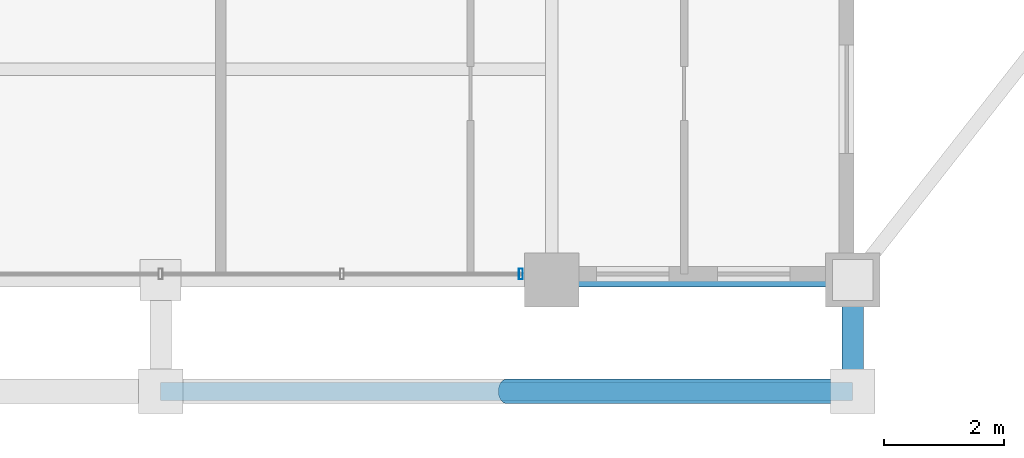
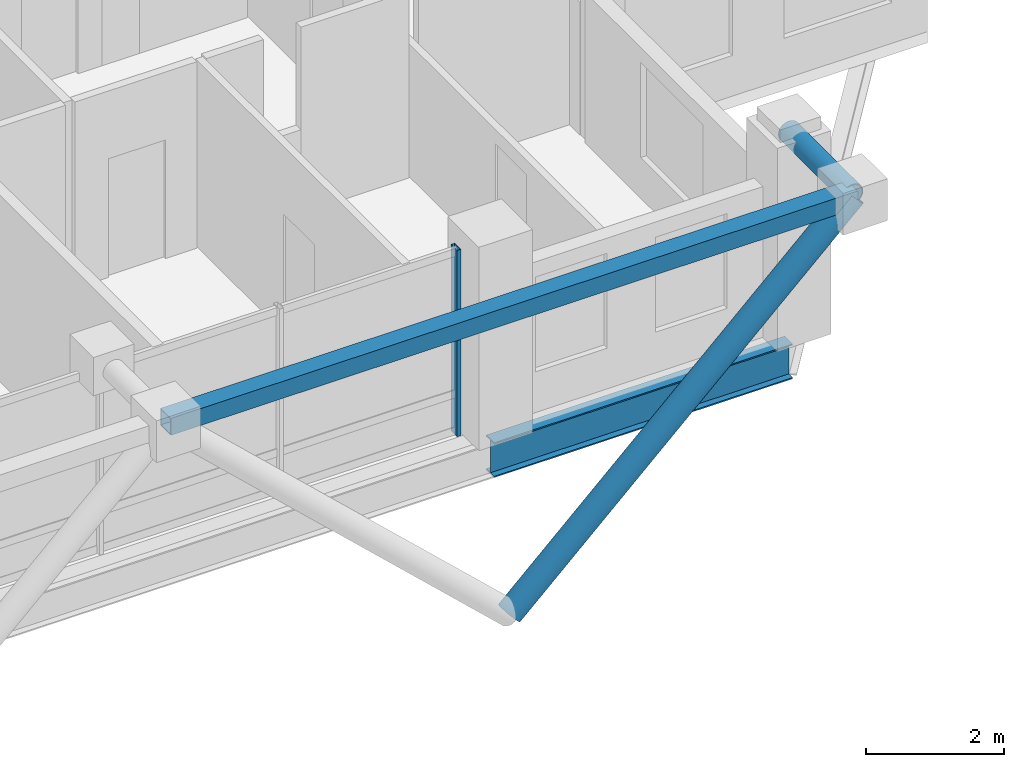
# One storey, part 6 of 25: 4 members, 1 beam, 1 element without a shape of its own.
"""IFC4 building model written with IfcOpenShell, lengths in metres."""

import ifcopenshell
import ifcopenshell.guid

model = None  # the IFC model being written
_history = None  # IfcOwnerHistory: only IFC2X3 demands one
_inside = {}  # id of a spatial element -> (the spatial element, [elements in it])
_under = {}  # id of a project, library or spatial element -> (it, [spatial elements below it])
_declared = {}  # id of a project -> (the project, [libraries it declares])
_typed = {}  # id of a type object -> (the type object, [elements of that type])
_made_of = {}  # id of a material, layer set ... -> (it, [elements and type objects made of it])


def new_model(schema):
    """Start an empty IFC model of exactly this schema.

    Asked for "IFC4X3", IfcOpenShell would pick the latest addendum, in which some entities
    have other attributes; the version numbers below select the first issue.
    IFC2X3 requires an IfcOwnerHistory on every rooted entity: one is made here for all.
    """
    global model, _history
    if schema == "IFC4X3":
        model = ifcopenshell.file(schema_version=(4, 3, 0, 0))
    else:
        model = ifcopenshell.file(schema=schema)
    _inside.clear()
    _under.clear()
    _declared.clear()
    _typed.clear()
    _made_of.clear()
    _history = None
    if model.schema == "IFC2X3":
        org = make("IfcOrganization", Name="unknown")
        user = make(
            "IfcPersonAndOrganization",
            ThePerson=make("IfcPerson", FamilyName="unknown"),
            TheOrganization=org,
        )
        app = make(
            "IfcApplication",
            ApplicationDeveloper=org,
            Version="unknown",
            ApplicationFullName="unknown",
            ApplicationIdentifier="unknown",
        )
        _history = make(
            "IfcOwnerHistory",
            OwningUser=user,
            OwningApplication=app,
            ChangeAction="ADDED",
            CreationDate=0,
        )
    return model


def make(cls, **values):
    """One entity of the class cls with the attributes given. An attribute that is None is left unset."""
    return model.create_entity(
        cls, **{name: value for name, value in values.items() if value is not None}
    )


def rooted(cls, **values):
    """An entity with a GlobalId (a new one), such as an element, a storey or a relation."""
    return make(cls, GlobalId=ifcopenshell.guid.new(), OwnerHistory=_history, **values)


def si_unit(unit_type, name, prefix=None):
    """IfcSIUnit, for example si_unit("LENGTHUNIT", "METRE", prefix="MILLI")."""
    return make("IfcSIUnit", UnitType=unit_type, Prefix=prefix, Name=name)


def assignment(units):
    """IfcUnitAssignment: the units of a project."""
    return None if units is None else make("IfcUnitAssignment", Units=units)


def point(xyz):
    """IfcCartesianPoint."""
    return None if xyz is None else make("IfcCartesianPoint", Coordinates=xyz)


def direction(xyz):
    """IfcDirection."""
    return None if xyz is None else make("IfcDirection", DirectionRatios=xyz)


def frame(location, z_axis=None, x_axis=None):
    """IfcAxis2Placement3D, a coordinate frame: its origin and axes. An axis left out is left unset."""
    return make(
        "IfcAxis2Placement3D",
        Location=point(location),
        Axis=direction(z_axis),
        RefDirection=direction(x_axis),
    )


def frame_2d(location, x_axis=None):
    """IfcAxis2Placement2D, a coordinate frame in the plane: its origin and x axis."""
    return make(
        "IfcAxis2Placement2D", Location=point(location), RefDirection=direction(x_axis)
    )


def origin():
    """The frame at (0, 0, 0) with its axes left unset."""
    return frame((0.0, 0.0, 0.0))


def origin_2d():
    """The frame at (0, 0) in the plane with its x axis left unset."""
    return frame_2d((0.0, 0.0))


def place(relative_to, where):
    """IfcLocalPlacement: puts the frame where relative to a parent placement (None: the world)."""
    return make(
        "IfcLocalPlacement", PlacementRelTo=relative_to, RelativePlacement=where
    )


def context(
    kind, dimensions, precision=None, world=None, true_north=None, identifier=None
):
    """IfcGeometricRepresentationContext, for example the 3D "Model" context."""
    return make(
        "IfcGeometricRepresentationContext",
        ContextIdentifier=identifier,
        ContextType=kind,
        CoordinateSpaceDimension=dimensions,
        Precision=precision,
        WorldCoordinateSystem=world,
        TrueNorth=true_north,
    )


def subcontext(parent, identifier, kind, view, scale=None):
    """IfcGeometricRepresentationSubContext, for example "Body" below "Model"."""
    return make(
        "IfcGeometricRepresentationSubContext",
        ContextIdentifier=identifier,
        ContextType=kind,
        ParentContext=parent,
        TargetScale=scale,
        TargetView=view,
    )


def project(units=None, contexts=None):
    """IfcProject with its units and contexts."""
    return rooted(
        "IfcProject",
        Name="project",
        RepresentationContexts=contexts,
        UnitsInContext=assignment(units),
    )


def spatial(cls, under=None, at=None, **own):
    """A site, building, storey or space (cls), placed at a placement, below another one or the project."""
    s = rooted(cls, ObjectPlacement=at, **own)
    if under is not None:
        _under.setdefault(under.id(), (under, []))[1].append(s)
    return s


def profile(cls, at=None, kind="AREA", **sizes):
    """A parametric profile (cls). Its sizes go by their IFC names, for example OverallWidth=200.0."""
    return make(cls, ProfileType=kind, Position=at, **sizes)


def hollow_rectangle(**sizes):
    """IfcRectangleHollowProfileDef."""
    return profile("IfcRectangleHollowProfileDef", **sizes)


def hollow_circle(**sizes):
    """IfcCircleHollowProfileDef."""
    return profile("IfcCircleHollowProfileDef", **sizes)


def i_section(**sizes):
    """IfcIShapeProfileDef."""
    return profile("IfcIShapeProfileDef", **sizes)


def extrude(swept, where, along, depth):
    """IfcExtrudedAreaSolid: the profile swept, set in the frame where, extruded along a direction by depth."""
    return make(
        "IfcExtrudedAreaSolid",
        SweptArea=swept,
        Position=where,
        ExtrudedDirection=direction(along),
        Depth=depth,
    )


def shape(context_of_items, identifier, shape_type, items):
    """IfcShapeRepresentation: the items that make up one representation, for example the "Body"."""
    return make(
        "IfcShapeRepresentation",
        ContextOfItems=context_of_items,
        RepresentationIdentifier=identifier,
        RepresentationType=shape_type,
        Items=items,
    )


def material(Name=None, Category=None):
    """IfcMaterial."""
    return make("IfcMaterial", Name=Name, Category=Category)


def layer(
    of_material, thickness, ventilated=None, Name=None, Category=None, Priority=None
):
    """IfcMaterialLayer: one layer of a wall or slab, of a material (None: an air gap)."""
    return make(
        "IfcMaterialLayer",
        Material=of_material,
        LayerThickness=thickness,
        IsVentilated=ventilated,
        Name=Name,
        Category=Category,
        Priority=Priority,
    )


def layer_set(layers, Name=None):
    """IfcMaterialLayerSet."""
    return make("IfcMaterialLayerSet", MaterialLayers=layers, LayerSetName=Name)


def material_profile(
    of_material, cross_section, Name=None, Category=None, Priority=None
):
    """IfcMaterialProfile: a cross section and its material."""
    return make(
        "IfcMaterialProfile",
        Name=Name,
        Material=of_material,
        Profile=cross_section,
        Priority=Priority,
        Category=Category,
    )


def profile_set(profiles, Name=None, composite=None):
    """IfcMaterialProfileSet."""
    return make(
        "IfcMaterialProfileSet",
        Name=Name,
        MaterialProfiles=profiles,
        CompositeProfile=composite,
    )


def made_of(thing, what):
    """Note that an element or type object is made of a material, layer set ...; save() writes the relation."""
    if what is not None:
        _made_of.setdefault(what.id(), (what, []))[1].append(thing)
    return thing


def type_object(cls, material=None, **own):
    """A type object (cls), such as IfcWallType, which elements share."""
    return made_of(rooted(cls, **own), material)


def element(
    cls,
    number,
    at=None,
    inside=None,
    cuts=None,
    type_object=None,
    material=None,
    context=None,
    identifier="Body",
    shape_type=None,
    held_by="IfcProductDefinitionShape",
    body=None,
    shapes=None,
    **own,
):
    """One element of the class cls, such as IfcWall. Its Tag is "e" and its number.

    at: its placement. inside: the storey or other place that contains it. cuts: it is an
    opening in that element (IfcRelVoidsElement). A single representation is given by context,
    identifier, shape_type and body (its items); several are given by shapes. held_by: the class
    of the entity that holds the representations. save() writes the other relations.
    """
    e = rooted(cls, Tag="e%d" % number, ObjectPlacement=at, **own)
    if body is not None:
        shapes = [shape(context, identifier, shape_type, body)]
    if shapes is not None:
        e.Representation = make(held_by, Representations=shapes)
    if inside is not None:
        _inside.setdefault(inside.id(), (inside, []))[1].append(e)
    if cuts is not None:
        rooted(
            "IfcRelVoidsElement", RelatingBuildingElement=cuts, RelatedOpeningElement=e
        )
    if type_object is not None:
        _typed.setdefault(type_object.id(), (type_object, []))[1].append(e)
    return made_of(e, material)


def aggregate(whole, parts):
    """IfcRelAggregates: a whole, such as a stair, and the parts it consists of."""
    return rooted("IfcRelAggregates", RelatingObject=whole, RelatedObjects=parts)


def save(model, path):
    """Write the relations noted so far, then the file.

    IfcRelAggregates (storeys below a building ...), IfcRelContainedInSpatialStructure (elements
    in a storey), IfcRelDefinesByType, IfcRelAssociatesMaterial and IfcRelDeclares: one each for
    every whole, place, type object, material and project.
    """
    for whole, parts in _under.values():
        aggregate(whole, parts)
    for where, things in _inside.values():
        rooted(
            "IfcRelContainedInSpatialStructure",
            RelatedElements=things,
            RelatingStructure=where,
        )
    for kind, things in _typed.values():
        rooted("IfcRelDefinesByType", RelatedObjects=things, RelatingType=kind)
    for what, things in _made_of.values():
        rooted("IfcRelAssociatesMaterial", RelatedObjects=things, RelatingMaterial=what)
    for by, libraries in _declared.values():
        rooted("IfcRelDeclares", RelatingContext=by, RelatedDefinitions=libraries)
    model.write(path)


model = new_model("IFC4")

# Units and contexts
model_context = context("Model", 3, precision=1e-05, world=origin(), true_north=direction((0.0, 1.0)))
body_context = subcontext(model_context, "Body", "Model", "MODEL_VIEW")
ifc_project = project(units=[si_unit("LENGTHUNIT", "METRE"), si_unit("AREAUNIT", "SQUARE_METRE"), si_unit("VOLUMEUNIT", "CUBIC_METRE"), si_unit("PLANEANGLEUNIT", "RADIAN"), si_unit("MASSUNIT", "GRAM", prefix="KILO")], contexts=[model_context])

# Site, building, storey
site_placement = place(None, origin())
site = spatial("IfcSite", under=ifc_project, at=site_placement, CompositionType="ELEMENT")
building_placement = place(site_placement, origin())
building = spatial("IfcBuilding", under=site, at=building_placement, Name="Barlavira Tower and Art Museum", CompositionType="ELEMENT")
storey_placement = place(building_placement, frame((0.0, 0.0, 301.5)))
storey = spatial("IfcBuildingStorey", under=building, at=storey_placement, Name="L79", CompositionType="ELEMENT", Elevation=301.5)

# Curtain wall, member
ifc_material_1 = material(Name="Low-iron coastal laminated glass", Category="glass")
ifc_layer = layer(ifc_material_1, 0.2099609375, Name="Low-iron coastal laminated glass")
ifc_layer_set = layer_set([ifc_layer], Name="Low-iron coastal laminated glass")
curtain_wall_type = type_object("IfcCurtainWallType", Name="Pale-Metal Unitised Curtain Wall Zone 4", PredefinedType="NOTDEFINED", material=ifc_layer_set)
curtain_wall_placement = place(storey_placement, origin())
curtain_wall = element("IfcCurtainWall", 1, at=curtain_wall_placement, inside=storey, type_object=curtain_wall_type, Name="L79 Curtain Wall CW4-L79-S-B2", PredefinedType="NOTDEFINED")
ifc_material_2 = material(Name="Pale anodised aluminium", Category="aluminium")
ifc_material_profile_1 = material_profile(ifc_material_2, hollow_rectangle(XDim=0.06494140625, YDim=0.179931640625, WallThickness=0.00390625, at=origin_2d()), Name="ALU-MULL 65x180x4")
ifc_profile_set_1 = profile_set([ifc_material_profile_1], Name="Pale anodised aluminium")
member_type_1 = type_object("IfcMemberType", Name="Curtain Wall Pale-Metal Mullion 65x180", PredefinedType="MULLION", material=ifc_profile_set_1)
member_1_placement = place(storey_placement, frame((5.985107421875, -19.89990234375, 0.0), z_axis=(0.0, 0.0, 1.0), x_axis=(1.0, 0.0, 0.0)))
member_1 = element("IfcMember", 2, at=member_1_placement, type_object=member_type_1, Name="CW4-L79-S-B2 Mullion 4", PredefinedType="MULLION", context=body_context, shape_type="SweptSolid", body=[
    extrude(hollow_rectangle(XDim=0.06494140625, YDim=0.179931640625, WallThickness=0.00390625, at=origin_2d()), origin(), (0.0, 0.0, 1.0), 3.300048828125),
])
aggregate(curtain_wall, [member_1])

# Members
ifc_material_3 = material(Name="Steel S355", Category="steel")
ifc_material_profile_2 = material_profile(ifc_material_3, hollow_circle(Radius=0.203125, WallThickness=0.01611328125, at=origin_2d()), Name="CHS 406.4x16.0")
ifc_profile_set_2 = profile_set([ifc_material_profile_2], Name="Steel S355")
member_type_2 = type_object("IfcMemberType", Name="Pale-Metal Exoskeleton Diagrid Tube CHS 406x16 Steel S355", PredefinedType="BRACE", material=ifc_profile_set_2)
member_2_placement = place(storey_placement, frame((5.75, -21.85009765625, -1.919921875), z_axis=(0.728950095515, 0.0, 0.684566839869), x_axis=(0.0, 1.0, 0.0)))
element("IfcMember", 3, at=member_2_placement, inside=storey, type_object=member_type_2, Name="L79 Exoskeleton Diagrid Tube S", PredefinedType="BRACE", context=body_context, shape_type="SweptSolid", body=[
    extrude(hollow_circle(Radius=0.203125, WallThickness=0.01611328125, at=origin_2d()), origin(), (0.0, 0.0, 1.0), 7.887939453125),
])
ifc_material_profile_3 = material_profile(ifc_material_3, hollow_circle(Radius=0.177734375, WallThickness=0.01611328125, at=origin_2d()), Name="CHS 355.6x16.0")
ifc_profile_set_3 = profile_set([ifc_material_profile_3], Name="Steel S355")
member_type_3 = type_object("IfcMemberType", Name="Pale-Metal Exoskeleton Tie Strut CHS 356x16 Steel S355", PredefinedType="STRUT", material=ifc_profile_set_3)
member_3_placement = place(storey_placement, frame((11.5, -21.85009765625, 3.47998046875), z_axis=(0.0, 1.0, 0.0), x_axis=(-1.0, 0.0, 0.0)))
element("IfcMember", 4, at=member_3_placement, inside=storey, type_object=member_type_3, Name="L79 Exoskeleton Top Tie Strut S3", PredefinedType="STRUT", context=body_context, shape_type="SweptSolid", body=[
    extrude(hollow_circle(Radius=0.177734375, WallThickness=0.01611328125, at=origin_2d()), origin(), (0.0, 0.0, 1.0), 1.85009765625),
])
ifc_material_profile_4 = material_profile(ifc_material_3, hollow_rectangle(XDim=0.300048828125, YDim=0.300048828125, WallThickness=0.01611328125, at=origin_2d()), Name="SHS 300x300x16.0")
ifc_profile_set_4 = profile_set([ifc_material_profile_4], Name="Steel S355")
member_type_4 = type_object("IfcMemberType", Name="Pale-Metal Upper Ring Strut SHS 300x300x16 Steel S355", PredefinedType="STRUT", material=ifc_profile_set_4)
member_4_placement = place(storey_placement, frame((0.0, -21.85009765625, 3.47998046875), z_axis=(1.0, 0.0, 0.0), x_axis=(0.0, 1.0, 0.0)))
element("IfcMember", 5, at=member_4_placement, inside=storey, type_object=member_type_4, Name="L79 Exoskeleton Top Ring Strut S", PredefinedType="STRUT", context=body_context, shape_type="SweptSolid", body=[
    extrude(hollow_rectangle(XDim=0.300048828125, YDim=0.300048828125, WallThickness=0.01611328125, at=origin_2d()), origin(), (0.0, 0.0, 1.0), 11.5),
])

# Beam
ifc_material_profile_5 = material_profile(ifc_material_3, i_section(OverallWidth=0.22998046875, OverallDepth=0.616943359375, WebThickness=0.01318359375, FlangeThickness=0.022216796875, at=origin_2d()), Name="W610x140.0")
ifc_profile_set_5 = profile_set([ifc_material_profile_5], Name="Steel S355")
beam_type = type_object("IfcBeamType", Name="Upper Shaft Spandrel Edge Beam W610x140 Steel S355", PredefinedType="SPANDREL", material=ifc_profile_set_5)
beam_placement = place(storey_placement, frame((6.5, -20.0, -0.528564453125), z_axis=(1.0, 0.0, 0.0), x_axis=(0.0, 1.0, 0.0)))
element("IfcBeam", 6, at=beam_placement, inside=storey, type_object=beam_type, Name="L79 Spandrel 3", PredefinedType="SPANDREL", context=body_context, shape_type="SweptSolid", body=[
    extrude(i_section(OverallWidth=0.22998046875, OverallDepth=0.616943359375, WebThickness=0.01318359375, FlangeThickness=0.022216796875, at=origin_2d()), origin(), (0.0, 0.0, 1.0), 5.0),
])

save(model, "model.ifc")
